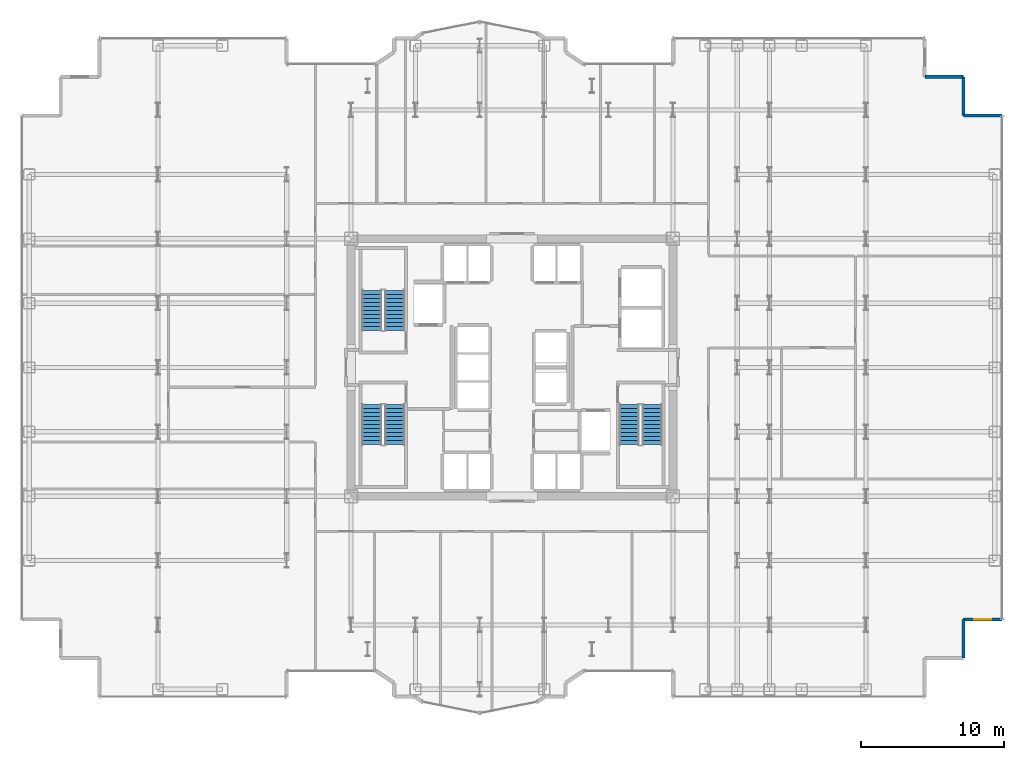
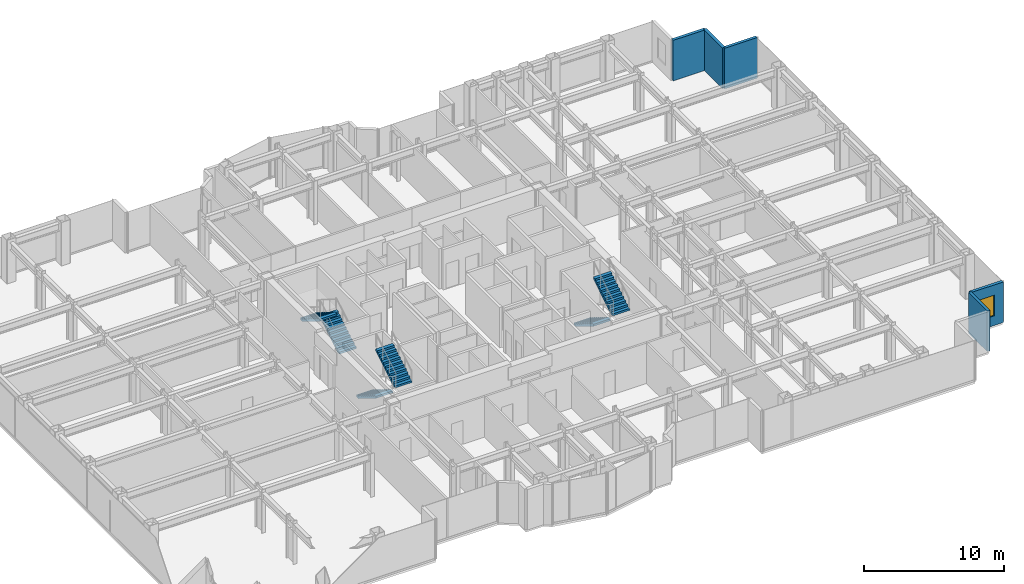
# One storey, part 25 of 26: 6 stair flights, 5 walls, 1 window, 1 opening, 3 elements without a shape of their own.
"""IFC4 building model written with IfcOpenShell, lengths in metres."""

from ifc_helpers import new_model, si_unit, direction, frame, frame_2d, origin, place, context, subcontext, project, spatial, polyline, rectangle, outline, extrude, source, transform, mapped, material, layer, layer_set, type_object, element, fill, aggregate, save


model = new_model("IFC4")

# Units and contexts
model_context = context("Model", 3, precision=1e-05, world=origin(), true_north=direction((0.0, 1.0)))
body_context = subcontext(model_context, "Body", "Model", "MODEL_VIEW")
ifc_project = project(units=[si_unit("LENGTHUNIT", "METRE"), si_unit("AREAUNIT", "SQUARE_METRE"), si_unit("VOLUMEUNIT", "CUBIC_METRE"), si_unit("PLANEANGLEUNIT", "RADIAN"), si_unit("MASSUNIT", "GRAM", prefix="KILO")], contexts=[model_context])

# Site, building, storey
site_placement = place(None, origin())
site = spatial("IfcSite", under=ifc_project, at=site_placement, CompositionType="ELEMENT")
building_placement = place(site_placement, origin())
building = spatial("IfcBuilding", under=site, at=building_placement, Name="Nefas-Gora Pilgrimage Tower", CompositionType="ELEMENT")
storey_placement = place(building_placement, frame((0.0, 0.0, 121.199951171875)))
storey = spatial("IfcBuildingStorey", under=building, at=storey_placement, Name="L29", CompositionType="ELEMENT", Elevation=121.199951171875)

# Wall
ifc_material_1 = material(Name="Precast concrete C45/55", Category="concrete")
ifc_layer = layer(ifc_material_1, 0.239990234375)
ifc_layer_set = layer_set([ifc_layer], Name="Precast concrete C45/55")
wall_type = type_object("IfcWallType", Name="EW-SERR-240", PredefinedType="SHEAR", material=ifc_layer_set)
shared_shape_1 = source(origin(), body_context, "Body", "SweptSolid", [
    extrude(rectangle(XDim=2.699951171875, YDim=0.239990234375, at=frame_2d((1.35009765625, 0.0))), origin(), (0.0, 0.0, 1.0), 3.550048828125),
])
wall_1_placement = place(storey_placement, frame((31.570068359375, -20.320068359375, 0.0), z_axis=(0.0, 0.0, 1.0), x_axis=(0.0, 1.0, 0.0)))
element("IfcWall", 1, at=wall_1_placement, inside=storey, type_object=wall_type, Name="L29 Serrated Corner Shear Pier Wall 4", PredefinedType="SHEAR", context=body_context, shape_type="MappedRepresentation", body=[
    mapped(shared_shape_1, transform((0.0, 0.0, 0.0), x_axis=(1.0, 0.0, 0.0), y_axis=(0.0, 1.0, 0.0), z_axis=(0.0, 0.0, 1.0), scale=1.0)),
])

# Wall, opening, window
wall_2_placement = place(storey_placement, frame((31.570068359375, -17.6201171875, 0.0), z_axis=(0.0, 0.0, 1.0), x_axis=(1.0, 0.0, 0.0)))
wall_2 = element("IfcWall", 2, at=wall_2_placement, inside=storey, type_object=wall_type, Name="L29 Serrated Corner Shear Pier Wall 5", PredefinedType="SHEAR", context=body_context, shape_type="MappedRepresentation", body=[
    mapped(shared_shape_1, transform((0.0, 0.0, 0.0), x_axis=(1.0, 0.0, 0.0), y_axis=(0.0, 1.0, 0.0), z_axis=(0.0, 0.0, 1.0), scale=1.0)),
])
opening_placement = place(wall_2_placement, frame((0.75, 0.0, 0.85009765625)))
opening = element("IfcOpeningElement", 3, at=opening_placement, cuts=wall_2, Name="Opening W-V1", PredefinedType="OPENING", context=body_context, shape_type="SweptSolid", body=[
    extrude(rectangle(XDim=1.199951171875, YDim=1.800048828125, at=frame_2d((0.60009765625, 0.89990234375))), frame((0.0, 0.1298828125, 0.0), z_axis=(0.0, -1.0, 0.0), x_axis=(1.0, 0.0, 0.0)), (0.0, 0.0, 1.0), 0.260009765625),
])
ifc_material_2 = material(Name="Dark ceramic-fritted operable aluminium-glass window", Category="aluminium")
window_type = type_object("IfcWindowType", Name="WIN-VENT-1200x1800", PartitioningType="SINGLE_PANEL", PredefinedType="WINDOW", material=ifc_material_2)
shared_shape_2 = source(origin(), body_context, "Body", "SweptSolid", [
    extrude(rectangle(XDim=1.199951171875, YDim=1.800048828125, at=frame_2d((0.60009765625, 0.89990234375))), frame((0.0, 0.030029296875, 0.0), z_axis=(0.0, -1.0, 0.0), x_axis=(1.0, 0.0, 0.0)), (0.0, 0.0, 1.0), 0.06005859375),
])
window_placement = place(opening_placement, origin())
window = element("IfcWindow", 4, at=window_placement, inside=storey, type_object=window_type, Name="L29 Operable Parallel-Outswing Window 5", OverallHeight=1.800048828125, OverallWidth=1.199951171875, PartitioningType="SINGLE_PANEL", PredefinedType="WINDOW", context=body_context, shape_type="MappedRepresentation", body=[
    mapped(shared_shape_2, transform((0.0, 0.0, 0.0), x_axis=(1.0, 0.0, 0.0), y_axis=(0.0, 1.0, 0.0), z_axis=(0.0, 0.0, 1.0), scale=1.0)),
])
fill(opening, window)

# Walls
for number, where, z_axis, x_axis, name in (
    (5, (34.27001953125, 17.6201171875, 0.0), (0.0, 0.0, 1.0), (-1.0, 0.0, 0.0), "L29 Serrated Corner Shear Pier Wall 6"),
    (6, (31.570068359375, 17.6201171875, 0.0), (0.0, 0.0, 1.0), (0.0, 1.0, 0.0), "L29 Serrated Corner Shear Pier Wall 7"),
    (7, (31.570068359375, 20.320068359375, 0.0), (0.0, 0.0, 1.0), (-1.0, 0.0, 0.0), "L29 Serrated Corner Shear Pier Wall 8"),
):
    element("IfcWall", number, at=place(storey_placement, frame(where, z_axis=z_axis, x_axis=x_axis)), inside=storey, type_object=wall_type, Name=name, PredefinedType="SHEAR", context=body_context, shape_type="MappedRepresentation", body=[
        mapped(shared_shape_1, transform((0.0, 0.0, 0.0), x_axis=(1.0, 0.0, 0.0), y_axis=(0.0, 1.0, 0.0), z_axis=(0.0, 0.0, 1.0), scale=1.0)),
    ])

# Stair, stair flights
ifc_material_3 = material(Name="Concrete C45/55", Category="concrete")
stair_type = type_object("IfcStairType", Name="STR-1400-R1727", PredefinedType="HALF_TURN_STAIR", material=ifc_material_3)
stair_1_placement = place(storey_placement, origin())
stair_1 = element("IfcStair", 8, at=stair_1_placement, inside=storey, type_object=stair_type, Name="L29 Pressurised Tower Exit Stair ST-01", PredefinedType="HALF_TURN_STAIR")
stair_flight_type = type_object("IfcStairFlightType", Name="STF-1400-R1727", PredefinedType="STRAIGHT", material=ifc_material_3)
shared_shape_3 = source(origin(), body_context, "Body", "SweptSolid", [
    extrude(outline(polyline([(0.0, 0.0), (0.0, 0.172607421875), (0.280029296875, 0.172607421875), (0.280029296875, 0.345458984375), (0.56005859375, 0.345458984375), (0.56005859375, 0.51806640625), (0.840087890625, 0.51806640625), (0.840087890625, 0.69091796875), (1.1201171875, 0.69091796875), (1.1201171875, 0.863525390625), (1.39990234375, 0.863525390625), (1.39990234375, 1.036376953125), (1.679931640625, 1.036376953125), (1.679931640625, 1.208984375), (1.9599609375, 1.208984375), (1.9599609375, 1.3818359375), (2.239990234375, 1.3818359375), (2.239990234375, 1.554443359375), (2.52001953125, 1.554443359375), (2.52001953125, 1.727294921875), (2.800048828125, 1.727294921875), (2.800048828125, 1.89990234375), (2.800048828125, 1.551025390625), (0.285400390625, 0.0), (0.0, 0.0)])), frame((0.0, 0.699951171875, 0.0), z_axis=(0.0, -1.0, 0.0), x_axis=(1.0, 0.0, 0.0)), (0.0, 0.0, 1.0), 1.39990234375),
])
stair_flight_1_placement = place(storey_placement, frame((-8.199951171875, 2.60009765625, 0.0), z_axis=(0.0, 0.0, 1.0), x_axis=(0.0, 1.0, 0.0)))
stair_flight_1 = element("IfcStairFlight", 9, at=stair_flight_1_placement, type_object=stair_flight_type, Name="ST-01 flight 1", NumberOfRisers=11, NumberOfTreads=10, PredefinedType="STRAIGHT", RiserHeight=0.172727273, TreadLength=0.28, context=body_context, shape_type="MappedRepresentation", body=[
    mapped(shared_shape_3, transform((0.0, 0.0, 0.0), x_axis=(1.0, 0.0, 0.0), y_axis=(0.0, 1.0, 0.0), z_axis=(0.0, 0.0, 1.0), scale=1.0)),
])
stair_flight_2_placement = place(storey_placement, frame((-9.800048828125, 5.39990234375, 1.900146484375), z_axis=(0.0, 0.0, 1.0), x_axis=(0.0, -1.0, 0.0)))
stair_flight_2 = element("IfcStairFlight", 10, at=stair_flight_2_placement, type_object=stair_flight_type, Name="ST-01 flight 2", NumberOfRisers=11, NumberOfTreads=10, PredefinedType="STRAIGHT", RiserHeight=0.172727273, TreadLength=0.28, context=body_context, shape_type="MappedRepresentation", body=[
    mapped(shared_shape_3, transform((0.0, 0.0, 0.0), x_axis=(1.0, 0.0, 0.0), y_axis=(0.0, 1.0, 0.0), z_axis=(0.0, 0.0, 1.0), scale=1.0)),
])
aggregate(stair_1, [stair_flight_1, stair_flight_2])

stair_2_placement = place(storey_placement, origin())
stair_2 = element("IfcStair", 11, at=stair_2_placement, inside=storey, type_object=stair_type, Name="L29 Pressurised Tower Exit Stair ST-02", PredefinedType="HALF_TURN_STAIR")
stair_flight_3_placement = place(storey_placement, frame((8.199951171875, -2.60009765625, 0.0), z_axis=(0.0, 0.0, 1.0), x_axis=(0.0, -1.0, 0.0)))
stair_flight_3 = element("IfcStairFlight", 12, at=stair_flight_3_placement, type_object=stair_flight_type, Name="ST-02 flight 1", NumberOfRisers=11, NumberOfTreads=10, PredefinedType="STRAIGHT", RiserHeight=0.172727273, TreadLength=0.28, context=body_context, shape_type="MappedRepresentation", body=[
    mapped(shared_shape_3, transform((0.0, 0.0, 0.0), x_axis=(1.0, 0.0, 0.0), y_axis=(0.0, 1.0, 0.0), z_axis=(0.0, 0.0, 1.0), scale=1.0)),
])
stair_flight_4_placement = place(storey_placement, frame((9.800048828125, -5.39990234375, 1.900146484375), z_axis=(0.0, 0.0, 1.0), x_axis=(0.0, 1.0, 0.0)))
stair_flight_4 = element("IfcStairFlight", 13, at=stair_flight_4_placement, type_object=stair_flight_type, Name="ST-02 flight 2", NumberOfRisers=11, NumberOfTreads=10, PredefinedType="STRAIGHT", RiserHeight=0.172727273, TreadLength=0.28, context=body_context, shape_type="MappedRepresentation", body=[
    mapped(shared_shape_3, transform((0.0, 0.0, 0.0), x_axis=(1.0, 0.0, 0.0), y_axis=(0.0, 1.0, 0.0), z_axis=(0.0, 0.0, 1.0), scale=1.0)),
])
aggregate(stair_2, [stair_flight_3, stair_flight_4])

stair_3_placement = place(storey_placement, origin())
stair_3 = element("IfcStair", 14, at=stair_3_placement, inside=storey, type_object=stair_type, Name="L29 Pressurised Tower Exit Stair ST-03", PredefinedType="HALF_TURN_STAIR")
stair_flight_5_placement = place(storey_placement, frame((-9.800048828125, -2.60009765625, 0.0), z_axis=(0.0, 0.0, 1.0), x_axis=(0.0, -1.0, 0.0)))
stair_flight_5 = element("IfcStairFlight", 15, at=stair_flight_5_placement, type_object=stair_flight_type, Name="ST-03 flight 1", NumberOfRisers=11, NumberOfTreads=10, PredefinedType="STRAIGHT", RiserHeight=0.172727273, TreadLength=0.28, context=body_context, shape_type="MappedRepresentation", body=[
    mapped(shared_shape_3, transform((0.0, 0.0, 0.0), x_axis=(1.0, 0.0, 0.0), y_axis=(0.0, 1.0, 0.0), z_axis=(0.0, 0.0, 1.0), scale=1.0)),
])
stair_flight_6_placement = place(storey_placement, frame((-8.199951171875, -5.39990234375, 1.900146484375), z_axis=(0.0, 0.0, 1.0), x_axis=(0.0, 1.0, 0.0)))
stair_flight_6 = element("IfcStairFlight", 16, at=stair_flight_6_placement, type_object=stair_flight_type, Name="ST-03 flight 2", NumberOfRisers=11, NumberOfTreads=10, PredefinedType="STRAIGHT", RiserHeight=0.172727273, TreadLength=0.28, context=body_context, shape_type="MappedRepresentation", body=[
    mapped(shared_shape_3, transform((0.0, 0.0, 0.0), x_axis=(1.0, 0.0, 0.0), y_axis=(0.0, 1.0, 0.0), z_axis=(0.0, 0.0, 1.0), scale=1.0)),
])
aggregate(stair_3, [stair_flight_5, stair_flight_6])

save(model, "model.ifc")
